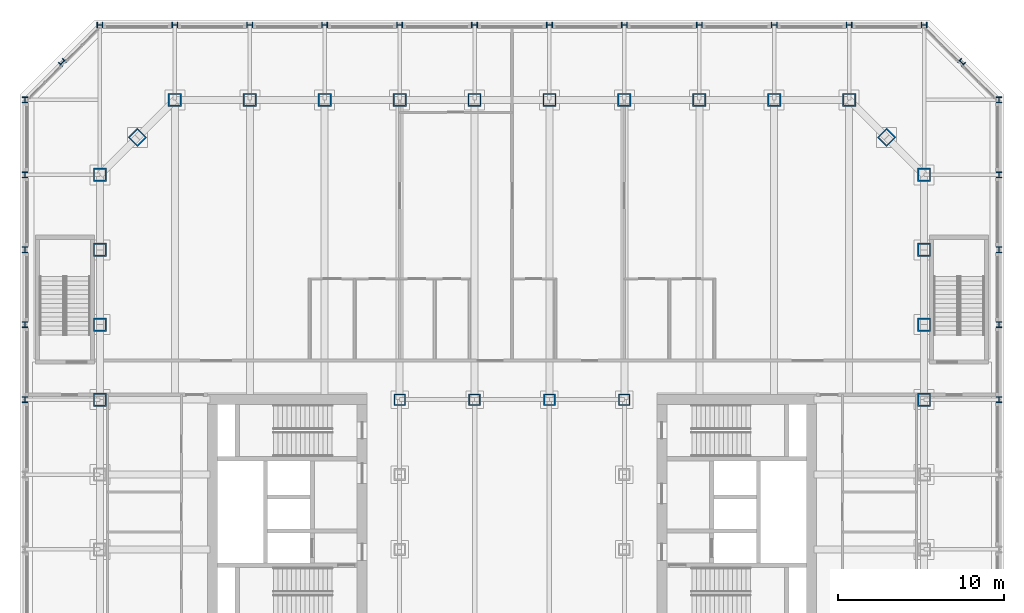
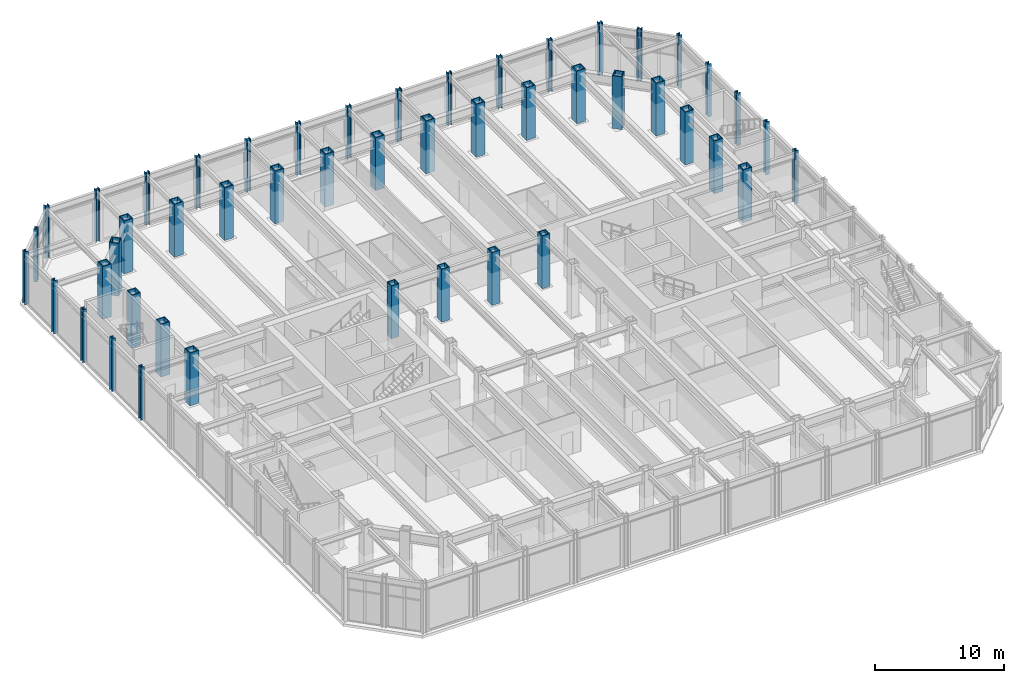
# One storey, part 3 of 19: 48 columns.
"""IFC4 building model written with IfcOpenShell, lengths in metres."""

from ifc_helpers import new_model, si_unit, direction, frame, origin, origin_2d, place, context, subcontext, project, spatial, hollow_rectangle, i_section, extrude, material, material_profile, profile_set, type_object, element, save


model = new_model("IFC4")

# Units and contexts
model_context = context("Model", 3, precision=1e-05, world=origin(), true_north=direction((0.0, 1.0)))
body_context = subcontext(model_context, "Body", "Model", "MODEL_VIEW")
ifc_project = project(units=[si_unit("LENGTHUNIT", "METRE"), si_unit("AREAUNIT", "SQUARE_METRE"), si_unit("VOLUMEUNIT", "CUBIC_METRE"), si_unit("PLANEANGLEUNIT", "RADIAN"), si_unit("MASSUNIT", "GRAM", prefix="KILO")], contexts=[model_context])

# Site, building, storey
site_placement = place(None, origin())
site = spatial("IfcSite", under=ifc_project, at=site_placement, CompositionType="ELEMENT")
building_placement = place(site_placement, origin())
building = spatial("IfcBuilding", under=site, at=building_placement, Name="Msasa Ring Tower", CompositionType="ELEMENT")
storey_placement = place(building_placement, frame((0.0, 0.0, 11.0)))
storey = spatial("IfcBuildingStorey", under=building, at=storey_placement, Name="L02", CompositionType="ELEMENT", Elevation=11.0)

# Columns
ifc_material_1 = material(Name="Steel S355", Category="steel")
ifc_material_profile_1 = material_profile(ifc_material_1, hollow_rectangle(XDim=0.699951171875, YDim=0.699951171875, WallThickness=0.070068359375, at=origin_2d()), Name="BOX 700x700x70")
ifc_profile_set_1 = profile_set([ifc_material_profile_1], Name="Steel S355")
column_type_1 = type_object("IfcColumnType", Name="IC1 BOX 700x700x70", PredefinedType="COLUMN", material=ifc_profile_set_1)
for number, where, z_axis, x_axis, name in (
    (1, (-6.75, 6.75, 0.0), (0.0, 0.0, 1.0), (1.0, 0.0, 0.0), "Inner ring column IR-6.75+6.75 L02"),
    (2, (-2.25, 6.75, 0.0), (0.0, 0.0, 1.0), (1.0, 0.0, 0.0), "Inner ring column IR-2.25+6.75 L02"),
    (3, (2.25, 6.75, 0.0), (0.0, 0.0, 1.0), (1.0, 0.0, 0.0), "Inner ring column IR+2.25+6.75 L02"),
    (4, (6.75, 6.75, 0.0), (0.0, 0.0, 1.0), (1.0, 0.0, 0.0), "Inner ring column IR+6.75+6.75 L02"),
):
    element("IfcColumn", number, at=place(storey_placement, frame(where, z_axis=z_axis, x_axis=x_axis)), inside=storey, type_object=column_type_1, Name=name, PredefinedType="COLUMN", context=body_context, shape_type="SweptSolid", body=[
        extrude(hollow_rectangle(XDim=0.699951171875, YDim=0.699951171875, WallThickness=0.070068359375, at=origin_2d()), origin(), (0.0, 0.0, 1.0), 5.0),
    ])
ifc_material_2 = material(Name="Steel S355", Category="steel")
ifc_material_profile_2 = material_profile(ifc_material_2, i_section(OverallWidth=0.322265625, OverallDepth=0.365234375, WebThickness=0.02685546875, FlangeThickness=0.044189453125, FilletRadius=0.01513671875, at=origin_2d()), Name="UC 305x305x283")
ifc_profile_set_2 = profile_set([ifc_material_profile_2], Name="Steel S355")
column_type_2 = type_object("IfcColumnType", Name="PC1 UC 305x305x283", PredefinedType="COLUMN", material=ifc_profile_set_2)
for number, where, z_axis, x_axis, name in (
    (5, (-24.75, 29.25, 0.0), (0.0, 0.0, 1.0), (0.0, 1.0, 0.0), "Podium column N-24.75 L02"),
    (6, (-20.25, 29.25, 0.0), (0.0, 0.0, 1.0), (0.0, 1.0, 0.0), "Podium column N-20.25 L02"),
    (7, (-15.75, 29.25, 0.0), (0.0, 0.0, 1.0), (0.0, 1.0, 0.0), "Podium column N-15.75 L02"),
    (8, (-11.25, 29.25, 0.0), (0.0, 0.0, 1.0), (0.0, 1.0, 0.0), "Podium column N-11.25 L02"),
    (9, (-6.75, 29.25, 0.0), (0.0, 0.0, 1.0), (0.0, 1.0, 0.0), "Podium column N-6.75 L02"),
    (10, (-2.25, 29.25, 0.0), (0.0, 0.0, 1.0), (0.0, 1.0, 0.0), "Podium column N-2.25 L02"),
    (11, (2.25, 29.25, 0.0), (0.0, 0.0, 1.0), (0.0, 1.0, 0.0), "Podium column N+2.25 L02"),
    (12, (6.75, 29.25, 0.0), (0.0, 0.0, 1.0), (0.0, 1.0, 0.0), "Podium column N+6.75 L02"),
    (13, (29.25, 6.75, 0.0), (0.0, 0.0, 1.0), (1.0, 0.0, 0.0), "Podium column E+6.75 L02"),
    (14, (-29.25, 6.75, 0.0), (0.0, 0.0, 1.0), (1.0, 0.0, 0.0), "Podium column W+6.75 L02"),
    (15, (11.25, 29.25, 0.0), (0.0, 0.0, 1.0), (0.0, 1.0, 0.0), "Podium column N+11.25 L02"),
    (16, (29.25, 11.25, 0.0), (0.0, 0.0, 1.0), (1.0, 0.0, 0.0), "Podium column E+11.25 L02"),
    (17, (-29.25, 11.25, 0.0), (0.0, 0.0, 1.0), (1.0, 0.0, 0.0), "Podium column W+11.25 L02"),
    (18, (15.75, 29.25, 0.0), (0.0, 0.0, 1.0), (0.0, 1.0, 0.0), "Podium column N+15.75 L02"),
    (19, (29.25, 15.75, 0.0), (0.0, 0.0, 1.0), (1.0, 0.0, 0.0), "Podium column E+15.75 L02"),
    (20, (-29.25, 15.75, 0.0), (0.0, 0.0, 1.0), (1.0, 0.0, 0.0), "Podium column W+15.75 L02"),
    (21, (20.25, 29.25, 0.0), (0.0, 0.0, 1.0), (0.0, 1.0, 0.0), "Podium column N+20.25 L02"),
    (22, (29.25, 20.25, 0.0), (0.0, 0.0, 1.0), (1.0, 0.0, 0.0), "Podium column E+20.25 L02"),
    (23, (-29.25, 20.25, 0.0), (0.0, 0.0, 1.0), (1.0, 0.0, 0.0), "Podium column W+20.25 L02"),
    (24, (24.75, 29.25, 0.0), (0.0, 0.0, 1.0), (0.0, 1.0, 0.0), "Podium column N+24.75 L02"),
    (25, (29.25, 24.75, 0.0), (0.0, 0.0, 1.0), (1.0, 0.0, 0.0), "Podium column E+24.75 L02"),
    (26, (-29.25, 24.75, 0.0), (0.0, 0.0, 1.0), (1.0, 0.0, 0.0), "Podium column W+24.75 L02"),
    (27, (27.0, 27.0, 0.0), (0.0, 0.0, 1.0), (0.707106781187, 0.707106781187, 0.0), "Podium column NE L02"),
    (28, (-27.0, 27.0, 0.0), (0.0, 0.0, 1.0), (0.707106781187, -0.707106781187, 0.0), "Podium column NW L02"),
):
    element("IfcColumn", number, at=place(storey_placement, frame(where, z_axis=z_axis, x_axis=x_axis)), inside=storey, type_object=column_type_2, Name=name, PredefinedType="COLUMN", context=body_context, shape_type="SweptSolid", body=[
        extrude(i_section(OverallWidth=0.322265625, OverallDepth=0.365234375, WebThickness=0.02685546875, FlangeThickness=0.044189453125, FilletRadius=0.01513671875, at=origin_2d()), origin(), (0.0, 0.0, 1.0), 5.0),
    ])
ifc_material_3 = material(Name="Steel S355", Category="steel")
ifc_material_profile_3 = material_profile(ifc_material_3, hollow_rectangle(XDim=0.800048828125, YDim=0.800048828125, WallThickness=0.080078125, at=origin_2d()), Name="BOX 800x800x80")
ifc_profile_set_3 = profile_set([ifc_material_profile_3], Name="Steel S355")
column_type_3 = type_object("IfcColumnType", Name="TC1 BOX 800x800x80", PredefinedType="COLUMN", material=ifc_profile_set_3)
for number, where, z_axis, x_axis, name in (
    (29, (-20.25, 24.75, 0.0), (0.0, 0.0, 1.0), (0.0, 1.0, 0.0), "Tube column N-20.25 L02"),
    (30, (-15.75, 24.75, 0.0), (0.0, 0.0, 1.0), (0.0, 1.0, 0.0), "Tube column N-15.75 L02"),
    (31, (-11.25, 24.75, 0.0), (0.0, 0.0, 1.0), (0.0, 1.0, 0.0), "Tube column N-11.25 L02"),
    (32, (-6.75, 24.75, 0.0), (0.0, 0.0, 1.0), (0.0, 1.0, 0.0), "Tube column N-6.75 L02"),
    (33, (-2.25, 24.75, 0.0), (0.0, 0.0, 1.0), (0.0, 1.0, 0.0), "Tube column N-2.25 L02"),
    (34, (2.25, 24.75, 0.0), (0.0, 0.0, 1.0), (0.0, 1.0, 0.0), "Tube column N+2.25 L02"),
    (35, (6.75, 24.75, 0.0), (0.0, 0.0, 1.0), (0.0, 1.0, 0.0), "Tube column N+6.75 L02"),
    (36, (24.75, 6.75, 0.0), (0.0, 0.0, 1.0), (1.0, 0.0, 0.0), "Tube column E+6.75 L02"),
    (37, (-24.75, 6.75, 0.0), (0.0, 0.0, 1.0), (1.0, 0.0, 0.0), "Tube column W+6.75 L02"),
    (38, (11.25, 24.75, 0.0), (0.0, 0.0, 1.0), (0.0, 1.0, 0.0), "Tube column N+11.25 L02"),
    (39, (24.75, 11.25, 0.0), (0.0, 0.0, 1.0), (1.0, 0.0, 0.0), "Tube column E+11.25 L02"),
    (40, (-24.75, 11.25, 0.0), (0.0, 0.0, 1.0), (1.0, 0.0, 0.0), "Tube column W+11.25 L02"),
    (41, (15.75, 24.75, 0.0), (0.0, 0.0, 1.0), (0.0, 1.0, 0.0), "Tube column N+15.75 L02"),
    (42, (24.75, 15.75, 0.0), (0.0, 0.0, 1.0), (1.0, 0.0, 0.0), "Tube column E+15.75 L02"),
    (43, (-24.75, 15.75, 0.0), (0.0, 0.0, 1.0), (1.0, 0.0, 0.0), "Tube column W+15.75 L02"),
    (44, (20.25, 24.75, 0.0), (0.0, 0.0, 1.0), (0.0, 1.0, 0.0), "Tube column N+20.25 L02"),
    (45, (24.75, 20.25, 0.0), (0.0, 0.0, 1.0), (1.0, 0.0, 0.0), "Tube column E+20.25 L02"),
    (46, (-24.75, 20.25, 0.0), (0.0, 0.0, 1.0), (1.0, 0.0, 0.0), "Tube column W+20.25 L02"),
    (47, (22.5, 22.5, 0.0), (0.0, 0.0, 1.0), (0.707106781187, 0.707106781187, 0.0), "Tube column NE L02"),
    (48, (-22.5, 22.5, 0.0), (0.0, 0.0, 1.0), (0.707106781187, -0.707106781187, 0.0), "Tube column NW L02"),
):
    element("IfcColumn", number, at=place(storey_placement, frame(where, z_axis=z_axis, x_axis=x_axis)), inside=storey, type_object=column_type_3, Name=name, PredefinedType="COLUMN", context=body_context, shape_type="SweptSolid", body=[
        extrude(hollow_rectangle(XDim=0.800048828125, YDim=0.800048828125, WallThickness=0.080078125, at=origin_2d()), origin(), (0.0, 0.0, 1.0), 5.0),
    ])

save(model, "model.ifc")
